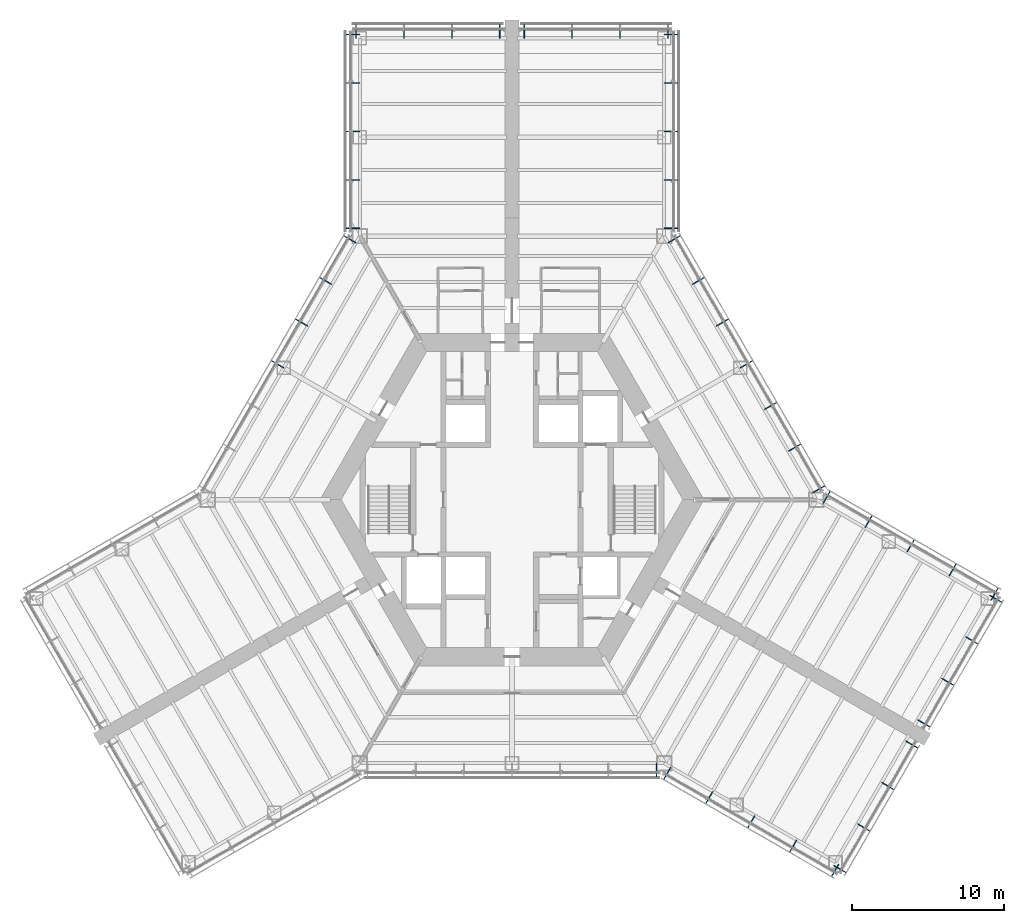
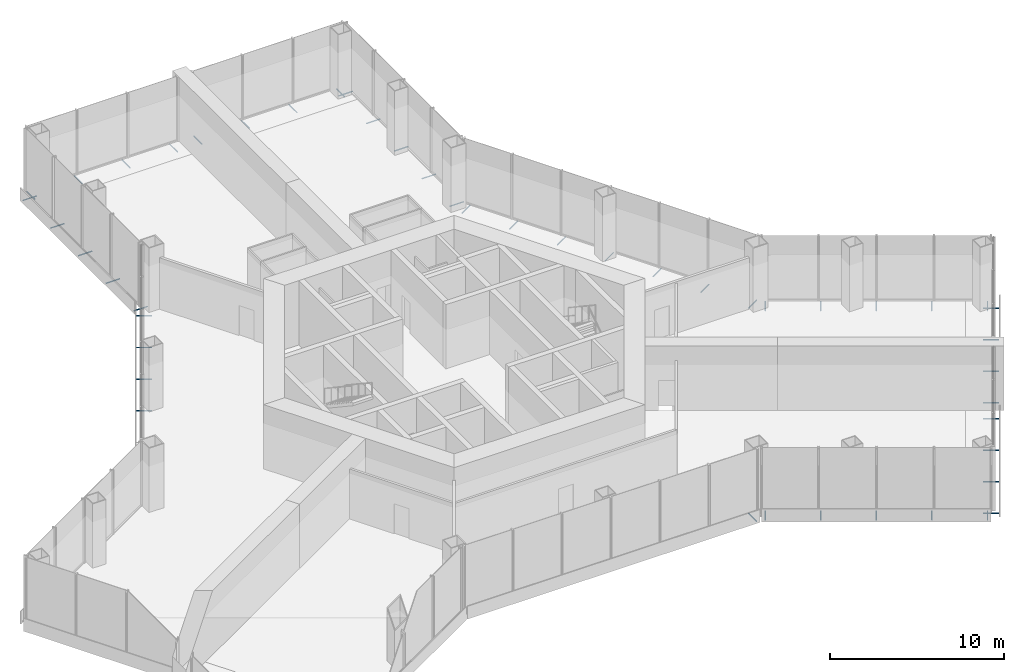
# One storey, part 12 of 13: 48 discrete accessories.
"""IFC4 building model written with IfcOpenShell, lengths in metres."""

from ifc_helpers import new_model, si_unit, direction, frame, origin, origin_2d, place, context, subcontext, project, spatial, hollow_circle, extrude, material, material_profile, profile_set, type_object, element, save


model = new_model("IFC4")

# Units and contexts
model_context = context("Model", 3, precision=1e-05, world=origin(), true_north=direction((0.0, 1.0)))
body_context = subcontext(model_context, "Body", "Model", "MODEL_VIEW")
ifc_project = project(units=[si_unit("LENGTHUNIT", "METRE"), si_unit("AREAUNIT", "SQUARE_METRE"), si_unit("VOLUMEUNIT", "CUBIC_METRE"), si_unit("PLANEANGLEUNIT", "RADIAN"), si_unit("MASSUNIT", "GRAM", prefix="KILO")], contexts=[model_context])

# Site, building, storey
site_placement = place(None, origin())
site = spatial("IfcSite", under=ifc_project, at=site_placement, CompositionType="ELEMENT")
building_placement = place(site_placement, origin())
building = spatial("IfcBuilding", under=site, at=building_placement, Name="Kasaneha Research Tower", CompositionType="ELEMENT")
storey_placement = place(building_placement, frame((0.0, 0.0, 5.5)))
storey = spatial("IfcBuildingStorey", under=building, at=storey_placement, Name="L02", CompositionType="ELEMENT", Elevation=5.5)

# Discrete accessories
ifc_material = material(Name="Steel STK400", Category="steel")
ifc_material_profile = material_profile(ifc_material, hollow_circle(Radius=0.0380859375, WallThickness=0.00390625, at=origin_2d()), Name="CHS-76.3x4.0")
ifc_profile_set = profile_set([ifc_material_profile], Name="Steel STK400")
discrete_accessory_type = type_object("IfcDiscreteAccessoryType", Name="Screen bracket CHS-76.3x4.0", PredefinedType="BRACKET", material=ifc_profile_set)
for number, where, z_axis, x_axis, name in (
    (1, (9.4892578125, -17.320556640625, -0.35009765625), (0.0, -1.0, 0.0), (1.0, 0.0, 0.0), "Screen bracket 7"),
    (2, (10.4423828125, -17.575927734375, -0.35009765625), (-0.500021113727, -0.866013213425, 0.0), (0.866013213425, -0.500021113727, 0.0), "Screen bracket 1"),
):
    element("IfcDiscreteAccessory", number, at=place(storey_placement, frame(where, z_axis=z_axis, x_axis=x_axis)), inside=storey, type_object=discrete_accessory_type, Name=name, PredefinedType="BRACKET", context=body_context, shape_type="SweptSolid", body=[
        extrude(hollow_circle(Radius=0.0380859375, WallThickness=0.00390625, at=origin_2d()), origin(), (0.0, 0.0, 1.0), 0.919921875),
    ])
discrete_accessory_1_placement = place(storey_placement, frame((13.200439453125, -19.168212890625, -0.35009765625), z_axis=(-0.499906209203, -0.866079547155, 0.0), x_axis=(0.866079547155, -0.499906209203, 0.0)))
element("IfcDiscreteAccessory", 3, at=discrete_accessory_1_placement, inside=storey, type_object=discrete_accessory_type, Name="Screen bracket 2", PredefinedType="BRACKET", context=body_context, shape_type="SweptSolid", body=[
    extrude(hollow_circle(Radius=0.0380859375, WallThickness=0.00390625, at=origin_2d()), origin(), (0.0, 0.0, 1.0), 0.920166015625),
])
discrete_accessory_2_placement = place(storey_placement, frame((15.95849609375, -20.7607421875, -0.35009765625), z_axis=(-0.500021113727, -0.866013213425, 0.0), x_axis=(0.866013213425, -0.500021113727, 0.0)))
element("IfcDiscreteAccessory", 4, at=discrete_accessory_2_placement, inside=storey, type_object=discrete_accessory_type, Name="Screen bracket 3", PredefinedType="BRACKET", context=body_context, shape_type="SweptSolid", body=[
    extrude(hollow_circle(Radius=0.0380859375, WallThickness=0.00390625, at=origin_2d()), origin(), (0.0, 0.0, 1.0), 0.919921875),
])
discrete_accessory_3_placement = place(storey_placement, frame((18.716796875, -22.35302734375, -0.35009765625), z_axis=(-0.500105201737, -0.865964657013, 0.0), x_axis=(0.865964657013, -0.500105201737, 0.0)))
element("IfcDiscreteAccessory", 5, at=discrete_accessory_3_placement, inside=storey, type_object=discrete_accessory_type, Name="Screen bracket 4", PredefinedType="BRACKET", context=body_context, shape_type="SweptSolid", body=[
    extrude(hollow_circle(Radius=0.0380859375, WallThickness=0.00390625, at=origin_2d()), origin(), (0.0, 0.0, 1.0), 0.920166015625),
])
discrete_accessory_4_placement = place(storey_placement, frame((21.474853515625, -23.945556640625, -0.35009765625), z_axis=(-0.500021113727, -0.866013213425, 0.0), x_axis=(0.866013213425, -0.500021113727, 0.0)))
element("IfcDiscreteAccessory", 6, at=discrete_accessory_4_placement, inside=storey, type_object=discrete_accessory_type, Name="Screen bracket 5", PredefinedType="BRACKET", context=body_context, shape_type="SweptSolid", body=[
    extrude(hollow_circle(Radius=0.0380859375, WallThickness=0.00390625, at=origin_2d()), origin(), (0.0, 0.0, 1.0), 0.919921875),
])
for number, where, z_axis, x_axis, name in (
    (7, (21.13330078125, -24.037109375, -0.35009765625), (0.866079547155, -0.499906209203, 0.0), (0.499906209203, 0.866079547155, 0.0), "Screen bracket 1"),
    (8, (22.708251953125, -21.30908203125, -0.35009765625), (0.866079547155, -0.499906209203, 0.0), (0.499906209203, 0.866079547155, 0.0), "Screen bracket 2"),
):
    element("IfcDiscreteAccessory", number, at=place(storey_placement, frame(where, z_axis=z_axis, x_axis=x_axis)), inside=storey, type_object=discrete_accessory_type, Name=name, PredefinedType="BRACKET", context=body_context, shape_type="SweptSolid", body=[
        extrude(hollow_circle(Radius=0.0380859375, WallThickness=0.00390625, at=origin_2d()), origin(), (0.0, 0.0, 1.0), 0.920166015625),
    ])
for number, where, z_axis, x_axis, name in (
    (9, (24.283447265625, -18.5810546875, -0.35009765625), (0.866013213425, -0.500021113727, 0.0), (0.500021113727, 0.866013213425, 0.0), "Screen bracket 3"),
    (10, (25.8583984375, -15.85302734375, -0.35009765625), (0.866013213425, -0.500021113727, 0.0), (0.500021113727, 0.866013213425, 0.0), "Screen bracket 4"),
    (11, (26.658447265625, -14.467529296875, -0.35009765625), (0.866013213425, -0.500021113727, 0.0), (0.500021113727, 0.866013213425, 0.0), "Screen bracket 1"),
    (12, (28.2333984375, -11.739501953125, -0.35009765625), (0.866013213425, -0.500021113727, 0.0), (0.500021113727, 0.866013213425, 0.0), "Screen bracket 2"),
    (13, (29.808349609375, -9.011474609375, -0.35009765625), (0.866013213425, -0.500021113727, 0.0), (0.500021113727, 0.866013213425, 0.0), "Screen bracket 3"),
):
    element("IfcDiscreteAccessory", number, at=place(storey_placement, frame(where, z_axis=z_axis, x_axis=x_axis)), inside=storey, type_object=discrete_accessory_type, Name=name, PredefinedType="BRACKET", context=body_context, shape_type="SweptSolid", body=[
        extrude(hollow_circle(Radius=0.0380859375, WallThickness=0.00390625, at=origin_2d()), origin(), (0.0, 0.0, 1.0), 0.919921875),
    ])
discrete_accessory_5_placement = place(storey_placement, frame((31.38330078125, -6.283447265625, -0.35009765625), z_axis=(0.866079547155, -0.499906209203, 0.0), x_axis=(0.499906209203, 0.866079547155, 0.0)))
element("IfcDiscreteAccessory", 14, at=discrete_accessory_5_placement, inside=storey, type_object=discrete_accessory_type, Name="Screen bracket 4", PredefinedType="BRACKET", context=body_context, shape_type="SweptSolid", body=[
    extrude(hollow_circle(Radius=0.0380859375, WallThickness=0.00390625, at=origin_2d()), origin(), (0.0, 0.0, 1.0), 0.920166015625),
])
discrete_accessory_6_placement = place(storey_placement, frame((31.474853515625, -6.625, -0.35009765625), z_axis=(0.500021113727, 0.866013213425, 0.0), x_axis=(-0.866013213425, 0.500021113727, 0.0)))
element("IfcDiscreteAccessory", 15, at=discrete_accessory_6_placement, inside=storey, type_object=discrete_accessory_type, Name="Screen bracket 1", PredefinedType="BRACKET", context=body_context, shape_type="SweptSolid", body=[
    extrude(hollow_circle(Radius=0.0380859375, WallThickness=0.00390625, at=origin_2d()), origin(), (0.0, 0.0, 1.0), 0.919921875),
])
discrete_accessory_7_placement = place(storey_placement, frame((28.716796875, -5.03271484375, -0.35009765625), z_axis=(0.499906209203, 0.866079547155, 0.0), x_axis=(-0.866079547155, 0.499906209203, 0.0)))
element("IfcDiscreteAccessory", 16, at=discrete_accessory_7_placement, inside=storey, type_object=discrete_accessory_type, Name="Screen bracket 2", PredefinedType="BRACKET", context=body_context, shape_type="SweptSolid", body=[
    extrude(hollow_circle(Radius=0.0380859375, WallThickness=0.00390625, at=origin_2d()), origin(), (0.0, 0.0, 1.0), 0.920166015625),
])
discrete_accessory_8_placement = place(storey_placement, frame((25.95849609375, -3.440185546875, -0.35009765625), z_axis=(0.500220121494, 0.865898279276, 0.0), x_axis=(-0.865898279276, 0.500220121494, 0.0)))
element("IfcDiscreteAccessory", 17, at=discrete_accessory_8_placement, inside=storey, type_object=discrete_accessory_type, Name="Screen bracket 3", PredefinedType="BRACKET", context=body_context, shape_type="SweptSolid", body=[
    extrude(hollow_circle(Radius=0.0380859375, WallThickness=0.00390625, at=origin_2d()), origin(), (0.0, 0.0, 1.0), 0.919921875),
])
discrete_accessory_9_placement = place(storey_placement, frame((23.200439453125, -1.847900390625, -0.35009765625), z_axis=(0.499906209203, 0.866079547155, 0.0), x_axis=(-0.866079547155, 0.499906209203, 0.0)))
element("IfcDiscreteAccessory", 18, at=discrete_accessory_9_placement, inside=storey, type_object=discrete_accessory_type, Name="Screen bracket 4", PredefinedType="BRACKET", context=body_context, shape_type="SweptSolid", body=[
    extrude(hollow_circle(Radius=0.0380859375, WallThickness=0.00390625, at=origin_2d()), origin(), (0.0, 0.0, 1.0), 0.920166015625),
])
for number, where, z_axis, x_axis, name in (
    (19, (20.4423828125, -0.25537109375, -0.35009765625), (0.500021113727, 0.866013213425, 0.0), (-0.866013213425, 0.500021113727, 0.0), "Screen bracket 5"),
    (20, (19.74462890625, 0.4423828125, -0.35009765625), (0.866013213425, 0.500021113727, 0.0), (-0.500021113727, 0.866013213425, 0.0), "Screen bracket 1"),
    (21, (18.1630859375, 3.181640625, -0.35009765625), (0.866013213425, 0.500021113727, 0.0), (-0.500021113727, 0.866013213425, 0.0), "Screen bracket 2"),
    (22, (16.58154296875, 5.9208984375, -0.35009765625), (0.866013213425, 0.500021113727, 0.0), (-0.500021113727, 0.866013213425, 0.0), "Screen bracket 3"),
    (23, (15.0, 8.66015625, -0.35009765625), (0.865898279276, 0.500220121494, 0.0), (-0.500220121494, 0.865898279276, 0.0), "Screen bracket 4"),
    (24, (13.41845703125, 11.399658203125, -0.35009765625), (0.866013213425, 0.500021113727, 0.0), (-0.500021113727, 0.866013213425, 0.0), "Screen bracket 5"),
    (25, (11.8369140625, 14.138916015625, -0.35009765625), (0.866013213425, 0.500021113727, 0.0), (-0.500021113727, 0.866013213425, 0.0), "Screen bracket 6"),
):
    element("IfcDiscreteAccessory", number, at=place(storey_placement, frame(where, z_axis=z_axis, x_axis=x_axis)), inside=storey, type_object=discrete_accessory_type, Name=name, PredefinedType="BRACKET", context=body_context, shape_type="SweptSolid", body=[
        extrude(hollow_circle(Radius=0.0380859375, WallThickness=0.00390625, at=origin_2d()), origin(), (0.0, 0.0, 1.0), 0.919921875),
    ])
discrete_accessory_10_placement = place(storey_placement, frame((10.25537109375, 16.878173828125, -0.35009765625), z_axis=(0.866079547155, 0.499906209203, 0.0), x_axis=(-0.499906209203, 0.866079547155, 0.0)))
element("IfcDiscreteAccessory", 26, at=discrete_accessory_10_placement, inside=storey, type_object=discrete_accessory_type, Name="Screen bracket 7", PredefinedType="BRACKET", context=body_context, shape_type="SweptSolid", body=[
    extrude(hollow_circle(Radius=0.0380859375, WallThickness=0.00390625, at=origin_2d()), origin(), (0.0, 0.0, 1.0), 0.920166015625),
])
for number, where, z_axis, x_axis, name in (
    (27, (10.0, 17.831298828125, -0.35009765625), (1.0, 0.0, 0.0), (0.0, 1.0, 0.0), "Screen bracket 1"),
    (28, (10.0, 21.01611328125, -0.35009765625), (1.0, 0.0, 0.0), (0.0, 1.0, 0.0), "Screen bracket 2"),
    (29, (10.0, 24.200927734375, -0.35009765625), (1.0, 0.0, 0.0), (0.0, 1.0, 0.0), "Screen bracket 3"),
    (30, (10.0, 27.3857421875, -0.35009765625), (1.0, 0.0, 0.0), (0.0, 1.0, 0.0), "Screen bracket 4"),
    (31, (10.0, 30.570556640625, -0.35009765625), (1.0, 0.0, 0.0), (0.0, 1.0, 0.0), "Screen bracket 5"),
    (32, (10.25, 30.320556640625, -0.35009765625), (0.0, 1.0, 0.0), (-1.0, 0.0, 0.0), "Screen bracket 1"),
    (33, (7.10009765625, 30.320556640625, -0.35009765625), (0.0, 1.0, 0.0), (-1.0, 0.0, 0.0), "Screen bracket 2"),
    (34, (3.949951171875, 30.320556640625, -0.35009765625), (0.0, 1.0, 0.0), (-1.0, 0.0, 0.0), "Screen bracket 3"),
    (35, (0.800048828125, 30.320556640625, -0.35009765625), (0.0, 1.0, 0.0), (-1.0, 0.0, 0.0), "Screen bracket 4"),
    (36, (-0.800048828125, 30.320556640625, -0.35009765625), (0.0, 1.0, 0.0), (-1.0, 0.0, 0.0), "Screen bracket 1"),
    (37, (-3.949951171875, 30.320556640625, -0.35009765625), (0.0, 1.0, 0.0), (-1.0, 0.0, 0.0), "Screen bracket 2"),
    (38, (-7.10009765625, 30.320556640625, -0.35009765625), (0.0, 1.0, 0.0), (-1.0, 0.0, 0.0), "Screen bracket 3"),
    (39, (-10.25, 30.320556640625, -0.35009765625), (0.0, 1.0, 0.0), (-1.0, 0.0, 0.0), "Screen bracket 4"),
    (40, (-10.0, 30.570556640625, -0.35009765625), (-1.0, 0.0, 0.0), (0.0, -1.0, 0.0), "Screen bracket 1"),
    (41, (-10.0, 27.3857421875, -0.35009765625), (-1.0, 0.0, 0.0), (0.0, -1.0, 0.0), "Screen bracket 2"),
    (42, (-10.0, 24.200927734375, -0.35009765625), (-1.0, 0.0, 0.0), (0.0, -1.0, 0.0), "Screen bracket 3"),
    (43, (-10.0, 21.01611328125, -0.35009765625), (-1.0, 0.0, 0.0), (0.0, -1.0, 0.0), "Screen bracket 4"),
    (44, (-10.0, 17.831298828125, -0.35009765625), (-1.0, 0.0, 0.0), (0.0, -1.0, 0.0), "Screen bracket 5"),
):
    element("IfcDiscreteAccessory", number, at=place(storey_placement, frame(where, z_axis=z_axis, x_axis=x_axis)), inside=storey, type_object=discrete_accessory_type, Name=name, PredefinedType="BRACKET", context=body_context, shape_type="SweptSolid", body=[
        extrude(hollow_circle(Radius=0.0380859375, WallThickness=0.00390625, at=origin_2d()), origin(), (0.0, 0.0, 1.0), 0.919921875),
    ])
discrete_accessory_11_placement = place(storey_placement, frame((-10.25537109375, 16.878173828125, -0.35009765625), z_axis=(-0.866079547155, 0.499906209203, 0.0), x_axis=(-0.499906209203, -0.866079547155, 0.0)))
element("IfcDiscreteAccessory", 45, at=discrete_accessory_11_placement, inside=storey, type_object=discrete_accessory_type, Name="Screen bracket 1", PredefinedType="BRACKET", context=body_context, shape_type="SweptSolid", body=[
    extrude(hollow_circle(Radius=0.0380859375, WallThickness=0.00390625, at=origin_2d()), origin(), (0.0, 0.0, 1.0), 0.920166015625),
])
for number, where, z_axis, x_axis, name in (
    (46, (-11.8369140625, 14.138916015625, -0.35009765625), (-0.866013213425, 0.500021113727, 0.0), (-0.500021113727, -0.866013213425, 0.0), "Screen bracket 2"),
    (47, (-13.41845703125, 11.399658203125, -0.35009765625), (-0.866013213425, 0.500021113727, 0.0), (-0.500021113727, -0.866013213425, 0.0), "Screen bracket 3"),
    (48, (-15.0, 8.66015625, -0.35009765625), (-0.865898279276, 0.500220121494, 0.0), (-0.500220121494, -0.865898279276, 0.0), "Screen bracket 4"),
):
    element("IfcDiscreteAccessory", number, at=place(storey_placement, frame(where, z_axis=z_axis, x_axis=x_axis)), inside=storey, type_object=discrete_accessory_type, Name=name, PredefinedType="BRACKET", context=body_context, shape_type="SweptSolid", body=[
        extrude(hollow_circle(Radius=0.0380859375, WallThickness=0.00390625, at=origin_2d()), origin(), (0.0, 0.0, 1.0), 0.919921875),
    ])

save(model, "model.ifc")
